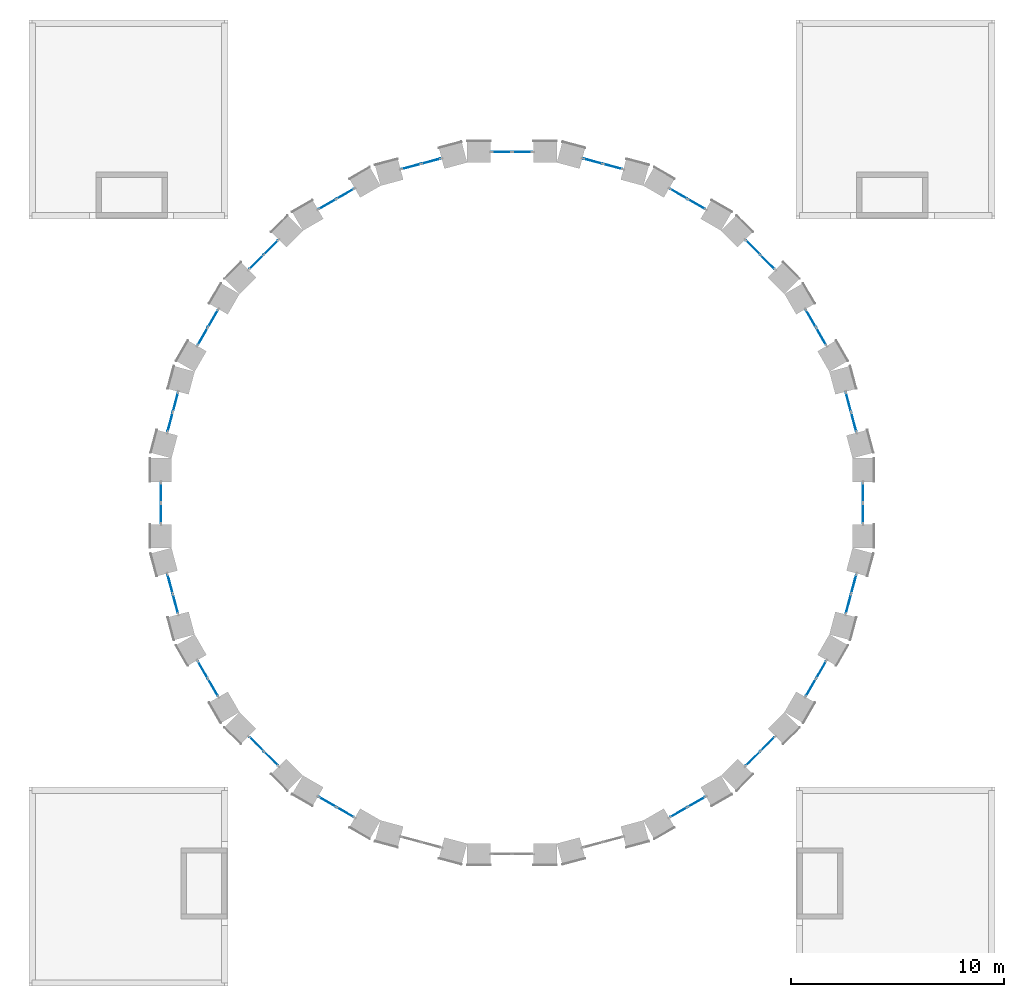
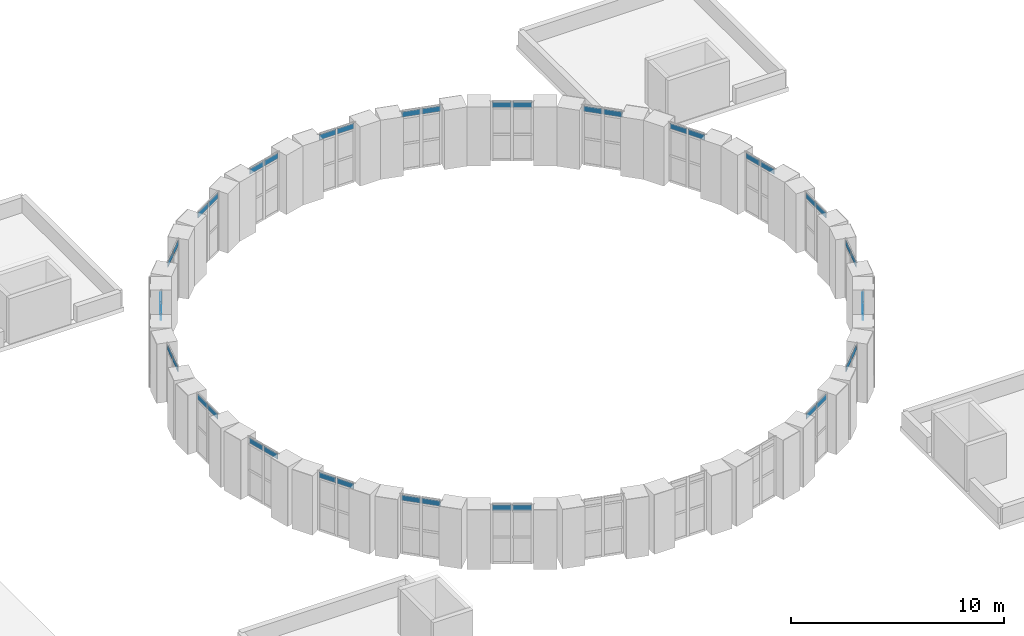
# One storey, part 23 of 42: 42 plates, 21 elements without a shape of their own.
"""IFC4 building model written with IfcOpenShell, lengths in metres."""

import ifcopenshell
import ifcopenshell.guid

model = None  # the IFC model being written
_history = None  # IfcOwnerHistory: only IFC2X3 demands one
_inside = {}  # id of a spatial element -> (the spatial element, [elements in it])
_under = {}  # id of a project, library or spatial element -> (it, [spatial elements below it])
_declared = {}  # id of a project -> (the project, [libraries it declares])
_typed = {}  # id of a type object -> (the type object, [elements of that type])
_made_of = {}  # id of a material, layer set ... -> (it, [elements and type objects made of it])


def new_model(schema):
    """Start an empty IFC model of exactly this schema.

    Asked for "IFC4X3", IfcOpenShell would pick the latest addendum, in which some entities
    have other attributes; the version numbers below select the first issue.
    IFC2X3 requires an IfcOwnerHistory on every rooted entity: one is made here for all.
    """
    global model, _history
    if schema == "IFC4X3":
        model = ifcopenshell.file(schema_version=(4, 3, 0, 0))
    else:
        model = ifcopenshell.file(schema=schema)
    _inside.clear()
    _under.clear()
    _declared.clear()
    _typed.clear()
    _made_of.clear()
    _history = None
    if model.schema == "IFC2X3":
        org = make("IfcOrganization", Name="unknown")
        user = make(
            "IfcPersonAndOrganization",
            ThePerson=make("IfcPerson", FamilyName="unknown"),
            TheOrganization=org,
        )
        app = make(
            "IfcApplication",
            ApplicationDeveloper=org,
            Version="unknown",
            ApplicationFullName="unknown",
            ApplicationIdentifier="unknown",
        )
        _history = make(
            "IfcOwnerHistory",
            OwningUser=user,
            OwningApplication=app,
            ChangeAction="ADDED",
            CreationDate=0,
        )
    return model


def make(cls, **values):
    """One entity of the class cls with the attributes given. An attribute that is None is left unset."""
    return model.create_entity(
        cls, **{name: value for name, value in values.items() if value is not None}
    )


def rooted(cls, **values):
    """An entity with a GlobalId (a new one), such as an element, a storey or a relation."""
    return make(cls, GlobalId=ifcopenshell.guid.new(), OwnerHistory=_history, **values)


def si_unit(unit_type, name, prefix=None):
    """IfcSIUnit, for example si_unit("LENGTHUNIT", "METRE", prefix="MILLI")."""
    return make("IfcSIUnit", UnitType=unit_type, Prefix=prefix, Name=name)


def assignment(units):
    """IfcUnitAssignment: the units of a project."""
    return None if units is None else make("IfcUnitAssignment", Units=units)


def point(xyz):
    """IfcCartesianPoint."""
    return None if xyz is None else make("IfcCartesianPoint", Coordinates=xyz)


def direction(xyz):
    """IfcDirection."""
    return None if xyz is None else make("IfcDirection", DirectionRatios=xyz)


def frame(location, z_axis=None, x_axis=None):
    """IfcAxis2Placement3D, a coordinate frame: its origin and axes. An axis left out is left unset."""
    return make(
        "IfcAxis2Placement3D",
        Location=point(location),
        Axis=direction(z_axis),
        RefDirection=direction(x_axis),
    )


def frame_2d(location, x_axis=None):
    """IfcAxis2Placement2D, a coordinate frame in the plane: its origin and x axis."""
    return make(
        "IfcAxis2Placement2D", Location=point(location), RefDirection=direction(x_axis)
    )


def origin():
    """The frame at (0, 0, 0) with its axes left unset."""
    return frame((0.0, 0.0, 0.0))


def origin_2d():
    """The frame at (0, 0) in the plane with its x axis left unset."""
    return frame_2d((0.0, 0.0))


def place(relative_to, where):
    """IfcLocalPlacement: puts the frame where relative to a parent placement (None: the world)."""
    return make(
        "IfcLocalPlacement", PlacementRelTo=relative_to, RelativePlacement=where
    )


def context(
    kind, dimensions, precision=None, world=None, true_north=None, identifier=None
):
    """IfcGeometricRepresentationContext, for example the 3D "Model" context."""
    return make(
        "IfcGeometricRepresentationContext",
        ContextIdentifier=identifier,
        ContextType=kind,
        CoordinateSpaceDimension=dimensions,
        Precision=precision,
        WorldCoordinateSystem=world,
        TrueNorth=true_north,
    )


def subcontext(parent, identifier, kind, view, scale=None):
    """IfcGeometricRepresentationSubContext, for example "Body" below "Model"."""
    return make(
        "IfcGeometricRepresentationSubContext",
        ContextIdentifier=identifier,
        ContextType=kind,
        ParentContext=parent,
        TargetScale=scale,
        TargetView=view,
    )


def project(units=None, contexts=None):
    """IfcProject with its units and contexts."""
    return rooted(
        "IfcProject",
        Name="project",
        RepresentationContexts=contexts,
        UnitsInContext=assignment(units),
    )


def spatial(cls, under=None, at=None, **own):
    """A site, building, storey or space (cls), placed at a placement, below another one or the project."""
    s = rooted(cls, ObjectPlacement=at, **own)
    if under is not None:
        _under.setdefault(under.id(), (under, []))[1].append(s)
    return s


def profile(cls, at=None, kind="AREA", **sizes):
    """A parametric profile (cls). Its sizes go by their IFC names, for example OverallWidth=200.0."""
    return make(cls, ProfileType=kind, Position=at, **sizes)


def rectangle(**sizes):
    """IfcRectangleProfileDef."""
    return profile("IfcRectangleProfileDef", **sizes)


def extrude(swept, where, along, depth):
    """IfcExtrudedAreaSolid: the profile swept, set in the frame where, extruded along a direction by depth."""
    return make(
        "IfcExtrudedAreaSolid",
        SweptArea=swept,
        Position=where,
        ExtrudedDirection=direction(along),
        Depth=depth,
    )


def shape(context_of_items, identifier, shape_type, items):
    """IfcShapeRepresentation: the items that make up one representation, for example the "Body"."""
    return make(
        "IfcShapeRepresentation",
        ContextOfItems=context_of_items,
        RepresentationIdentifier=identifier,
        RepresentationType=shape_type,
        Items=items,
    )


def material(Name=None, Category=None):
    """IfcMaterial."""
    return make("IfcMaterial", Name=Name, Category=Category)


def layer(
    of_material, thickness, ventilated=None, Name=None, Category=None, Priority=None
):
    """IfcMaterialLayer: one layer of a wall or slab, of a material (None: an air gap)."""
    return make(
        "IfcMaterialLayer",
        Material=of_material,
        LayerThickness=thickness,
        IsVentilated=ventilated,
        Name=Name,
        Category=Category,
        Priority=Priority,
    )


def layer_set(layers, Name=None):
    """IfcMaterialLayerSet."""
    return make("IfcMaterialLayerSet", MaterialLayers=layers, LayerSetName=Name)


def made_of(thing, what):
    """Note that an element or type object is made of a material, layer set ...; save() writes the relation."""
    if what is not None:
        _made_of.setdefault(what.id(), (what, []))[1].append(thing)
    return thing


def type_object(cls, material=None, **own):
    """A type object (cls), such as IfcWallType, which elements share."""
    return made_of(rooted(cls, **own), material)


def element(
    cls,
    number,
    at=None,
    inside=None,
    cuts=None,
    type_object=None,
    material=None,
    context=None,
    identifier="Body",
    shape_type=None,
    held_by="IfcProductDefinitionShape",
    body=None,
    shapes=None,
    **own,
):
    """One element of the class cls, such as IfcWall. Its Tag is "e" and its number.

    at: its placement. inside: the storey or other place that contains it. cuts: it is an
    opening in that element (IfcRelVoidsElement). A single representation is given by context,
    identifier, shape_type and body (its items); several are given by shapes. held_by: the class
    of the entity that holds the representations. save() writes the other relations.
    """
    e = rooted(cls, Tag="e%d" % number, ObjectPlacement=at, **own)
    if body is not None:
        shapes = [shape(context, identifier, shape_type, body)]
    if shapes is not None:
        e.Representation = make(held_by, Representations=shapes)
    if inside is not None:
        _inside.setdefault(inside.id(), (inside, []))[1].append(e)
    if cuts is not None:
        rooted(
            "IfcRelVoidsElement", RelatingBuildingElement=cuts, RelatedOpeningElement=e
        )
    if type_object is not None:
        _typed.setdefault(type_object.id(), (type_object, []))[1].append(e)
    return made_of(e, material)


def aggregate(whole, parts):
    """IfcRelAggregates: a whole, such as a stair, and the parts it consists of."""
    return rooted("IfcRelAggregates", RelatingObject=whole, RelatedObjects=parts)


def save(model, path):
    """Write the relations noted so far, then the file.

    IfcRelAggregates (storeys below a building ...), IfcRelContainedInSpatialStructure (elements
    in a storey), IfcRelDefinesByType, IfcRelAssociatesMaterial and IfcRelDeclares: one each for
    every whole, place, type object, material and project.
    """
    for whole, parts in _under.values():
        aggregate(whole, parts)
    for where, things in _inside.values():
        rooted(
            "IfcRelContainedInSpatialStructure",
            RelatedElements=things,
            RelatingStructure=where,
        )
    for kind, things in _typed.values():
        rooted("IfcRelDefinesByType", RelatedObjects=things, RelatingType=kind)
    for what, things in _made_of.values():
        rooted("IfcRelAssociatesMaterial", RelatedObjects=things, RelatingMaterial=what)
    for by, libraries in _declared.values():
        rooted("IfcRelDeclares", RelatingContext=by, RelatedDefinitions=libraries)
    model.write(path)


model = new_model("IFC4")

# Units and contexts
model_context = context("Model", 3, precision=1e-05, world=origin(), true_north=direction((0.0, 1.0)))
body_context = subcontext(model_context, "Body", "Model", "MODEL_VIEW")
ifc_project = project(units=[si_unit("LENGTHUNIT", "METRE"), si_unit("AREAUNIT", "SQUARE_METRE"), si_unit("VOLUMEUNIT", "CUBIC_METRE"), si_unit("PLANEANGLEUNIT", "RADIAN"), si_unit("MASSUNIT", "GRAM", prefix="KILO")], contexts=[model_context])

# Site, building, storey
site_placement = place(None, origin())
site = spatial("IfcSite", under=ifc_project, at=site_placement, CompositionType="ELEMENT")
building_placement = place(site_placement, origin())
building = spatial("IfcBuilding", under=site, at=building_placement, Name="Golden Quay Civic Hall", CompositionType="ELEMENT")
storey_placement = place(building_placement, frame((0.0, 0.0, 22.800048828125)))
storey = spatial("IfcBuildingStorey", under=building, at=storey_placement, Name="L05", CompositionType="ELEMENT", Elevation=22.800048828125)

# Curtain wall, plates
ifc_material_1 = material(Name="Glass, laminated double glazed", Category="glass")
ifc_layer_1 = layer(ifc_material_1, 0.199951171875)
ifc_layer_set_1 = layer_set([ifc_layer_1], Name="Glazed drum clerestory curtain wall")
curtain_wall_type = type_object("IfcCurtainWallType", Name="Glazed drum clerestory curtain wall", PredefinedType="NOTDEFINED", material=ifc_layer_set_1)
curtain_wall_1_placement = place(storey_placement, origin())
curtain_wall_1 = element("IfcCurtainWall", 1, at=curtain_wall_1_placement, inside=storey, type_object=curtain_wall_type, Name="Clerestory curtain wall 1", PredefinedType="NOTDEFINED")
ifc_material_2 = material(Name="Glass, laminated double glazed", Category="glass")
ifc_layer_2 = layer(ifc_material_2, 0.028076171875)
ifc_layer_set_2 = layer_set([ifc_layer_2], Name="Double glazed curtain wall panel 28")
plate_type = type_object("IfcPlateType", Name="Double glazed curtain wall panel 28", PredefinedType="CURTAIN_PANEL", material=ifc_layer_set_2)
plate_1_placement = place(storey_placement, frame((101.563232421875, 89.302001953125, 3.329833984375), z_axis=(0.0, 0.0, 1.0), x_axis=(-0.258807731996, 0.965928857556, 0.0)))
plate_1 = element("IfcPlate", 2, at=plate_1_placement, type_object=plate_type, Name="CW5 panel 1.3", PredefinedType="CURTAIN_PANEL", context=body_context, shape_type="SweptSolid", body=[
    extrude(rectangle(XDim=0.909912109375, YDim=0.028076171875, at=origin_2d()), origin(), (0.0, 0.0, 1.0), 0.31005859375),
])
plate_2_placement = place(storey_placement, frame((101.312255859375, 90.239013671875, 3.329833984375), z_axis=(0.0, 0.0, 1.0), x_axis=(-0.258807731996, 0.965928857556, 0.0)))
plate_2 = element("IfcPlate", 3, at=plate_2_placement, type_object=plate_type, Name="CW5 panel 2.3", PredefinedType="CURTAIN_PANEL", context=body_context, shape_type="SweptSolid", body=[
    extrude(rectangle(XDim=0.909912109375, YDim=0.028076171875, at=origin_2d()), origin(), (0.0, 0.0, 1.0), 0.31005859375),
])
aggregate(curtain_wall_1, [plate_1, plate_2])

curtain_wall_2_placement = place(storey_placement, origin())
curtain_wall_2 = element("IfcCurtainWall", 4, at=curtain_wall_2_placement, inside=storey, type_object=curtain_wall_type, Name="Clerestory curtain wall 2", PredefinedType="NOTDEFINED")
plate_3_placement = place(storey_placement, frame((100.031982421875, 93.330078125, 3.329833984375), z_axis=(0.0, 0.0, 1.0), x_axis=(-0.500011000366, 0.866019052627, 0.0)))
plate_3 = element("IfcPlate", 5, at=plate_3_placement, type_object=plate_type, Name="CW5 panel 1.3", PredefinedType="CURTAIN_PANEL", context=body_context, shape_type="SweptSolid", body=[
    extrude(rectangle(XDim=0.909912109375, YDim=0.028076171875, at=origin_2d()), origin(), (0.0, 0.0, 1.0), 0.31005859375),
])
plate_4_placement = place(storey_placement, frame((99.546875, 94.169921875, 3.329833984375), z_axis=(0.0, 0.0, 1.0), x_axis=(-0.500011000366, 0.866019052627, 0.0)))
plate_4 = element("IfcPlate", 6, at=plate_4_placement, type_object=plate_type, Name="CW5 panel 2.3", PredefinedType="CURTAIN_PANEL", context=body_context, shape_type="SweptSolid", body=[
    extrude(rectangle(XDim=0.909912109375, YDim=0.028076171875, at=origin_2d()), origin(), (0.0, 0.0, 1.0), 0.31005859375),
])
aggregate(curtain_wall_2, [plate_3, plate_4])

curtain_wall_3_placement = place(storey_placement, origin())
curtain_wall_3 = element("IfcCurtainWall", 7, at=curtain_wall_3_placement, inside=storey, type_object=curtain_wall_type, Name="Clerestory curtain wall 3", PredefinedType="NOTDEFINED")
plate_5_placement = place(storey_placement, frame((97.51025390625, 96.824462890625, 3.329833984375), z_axis=(0.0, 0.0, 1.0), x_axis=(-0.707106781187, 0.707106781187, 0.0)))
plate_5 = element("IfcPlate", 8, at=plate_5_placement, type_object=plate_type, Name="CW5 panel 1.3", PredefinedType="CURTAIN_PANEL", context=body_context, shape_type="SweptSolid", body=[
    extrude(rectangle(XDim=0.909912109375, YDim=0.028076171875, at=origin_2d()), origin(), (0.0, 0.0, 1.0), 0.31005859375),
])
plate_6_placement = place(storey_placement, frame((96.824462890625, 97.51025390625, 3.329833984375), z_axis=(0.0, 0.0, 1.0), x_axis=(-0.707106781187, 0.707106781187, 0.0)))
plate_6 = element("IfcPlate", 9, at=plate_6_placement, type_object=plate_type, Name="CW5 panel 2.3", PredefinedType="CURTAIN_PANEL", context=body_context, shape_type="SweptSolid", body=[
    extrude(rectangle(XDim=0.909912109375, YDim=0.028076171875, at=origin_2d()), origin(), (0.0, 0.0, 1.0), 0.31005859375),
])
aggregate(curtain_wall_3, [plate_5, plate_6])

curtain_wall_4_placement = place(storey_placement, origin())
curtain_wall_4 = element("IfcCurtainWall", 10, at=curtain_wall_4_placement, inside=storey, type_object=curtain_wall_type, Name="Clerestory curtain wall 4", PredefinedType="NOTDEFINED")
plate_7_placement = place(storey_placement, frame((94.169921875, 99.546875, 3.329833984375), z_axis=(0.0, 0.0, 1.0), x_axis=(-0.866019052627, 0.500011000366, 0.0)))
plate_7 = element("IfcPlate", 11, at=plate_7_placement, type_object=plate_type, Name="CW5 panel 1.3", PredefinedType="CURTAIN_PANEL", context=body_context, shape_type="SweptSolid", body=[
    extrude(rectangle(XDim=0.909912109375, YDim=0.028076171875, at=origin_2d()), origin(), (0.0, 0.0, 1.0), 0.31005859375),
])
plate_8_placement = place(storey_placement, frame((93.330078125, 100.031982421875, 3.329833984375), z_axis=(0.0, 0.0, 1.0), x_axis=(-0.866019052627, 0.500011000366, 0.0)))
plate_8 = element("IfcPlate", 12, at=plate_8_placement, type_object=plate_type, Name="CW5 panel 2.3", PredefinedType="CURTAIN_PANEL", context=body_context, shape_type="SweptSolid", body=[
    extrude(rectangle(XDim=0.909912109375, YDim=0.028076171875, at=origin_2d()), origin(), (0.0, 0.0, 1.0), 0.31005859375),
])
aggregate(curtain_wall_4, [plate_7, plate_8])

curtain_wall_5_placement = place(storey_placement, origin())
curtain_wall_5 = element("IfcCurtainWall", 13, at=curtain_wall_5_placement, inside=storey, type_object=curtain_wall_type, Name="Clerestory curtain wall 5", PredefinedType="NOTDEFINED")
plate_9_placement = place(storey_placement, frame((90.239013671875, 101.312255859375, 3.329833984375), z_axis=(0.0, 0.0, 1.0), x_axis=(-0.965928857556, 0.258807731996, 0.0)))
plate_9 = element("IfcPlate", 14, at=plate_9_placement, type_object=plate_type, Name="CW5 panel 1.3", PredefinedType="CURTAIN_PANEL", context=body_context, shape_type="SweptSolid", body=[
    extrude(rectangle(XDim=0.909912109375, YDim=0.028076171875, at=origin_2d()), origin(), (0.0, 0.0, 1.0), 0.31005859375),
])
plate_10_placement = place(storey_placement, frame((89.302001953125, 101.563232421875, 3.329833984375), z_axis=(0.0, 0.0, 1.0), x_axis=(-0.965928857556, 0.258807731996, 0.0)))
plate_10 = element("IfcPlate", 15, at=plate_10_placement, type_object=plate_type, Name="CW5 panel 2.3", PredefinedType="CURTAIN_PANEL", context=body_context, shape_type="SweptSolid", body=[
    extrude(rectangle(XDim=0.909912109375, YDim=0.028076171875, at=origin_2d()), origin(), (0.0, 0.0, 1.0), 0.31005859375),
])
aggregate(curtain_wall_5, [plate_9, plate_10])

curtain_wall_6_placement = place(storey_placement, origin())
curtain_wall_6 = element("IfcCurtainWall", 16, at=curtain_wall_6_placement, inside=storey, type_object=curtain_wall_type, Name="Clerestory curtain wall 6", PredefinedType="NOTDEFINED")
plate_11_placement = place(storey_placement, frame((85.985107421875, 102.0, 3.329833984375), z_axis=(0.0, 0.0, 1.0), x_axis=(-1.0, 0.0, 0.0)))
plate_11 = element("IfcPlate", 17, at=plate_11_placement, type_object=plate_type, Name="CW5 panel 1.3", PredefinedType="CURTAIN_PANEL", context=body_context, shape_type="SweptSolid", body=[
    extrude(rectangle(XDim=0.909912109375, YDim=0.028076171875, at=origin_2d()), origin(), (0.0, 0.0, 1.0), 0.31005859375),
])
plate_12_placement = place(storey_placement, frame((85.014892578125, 102.0, 3.329833984375), z_axis=(0.0, 0.0, 1.0), x_axis=(-1.0, 0.0, 0.0)))
plate_12 = element("IfcPlate", 18, at=plate_12_placement, type_object=plate_type, Name="CW5 panel 2.3", PredefinedType="CURTAIN_PANEL", context=body_context, shape_type="SweptSolid", body=[
    extrude(rectangle(XDim=0.909912109375, YDim=0.028076171875, at=origin_2d()), origin(), (0.0, 0.0, 1.0), 0.31005859375),
])
aggregate(curtain_wall_6, [plate_11, plate_12])

curtain_wall_7_placement = place(storey_placement, origin())
curtain_wall_7 = element("IfcCurtainWall", 19, at=curtain_wall_7_placement, inside=storey, type_object=curtain_wall_type, Name="Clerestory curtain wall 7", PredefinedType="NOTDEFINED")
plate_13_placement = place(storey_placement, frame((81.697998046875, 101.563232421875, 3.329833984375), z_axis=(0.0, 0.0, 1.0), x_axis=(-0.965928857556, -0.258807731996, 0.0)))
plate_13 = element("IfcPlate", 20, at=plate_13_placement, type_object=plate_type, Name="CW5 panel 1.3", PredefinedType="CURTAIN_PANEL", context=body_context, shape_type="SweptSolid", body=[
    extrude(rectangle(XDim=0.909912109375, YDim=0.028076171875, at=origin_2d()), origin(), (0.0, 0.0, 1.0), 0.31005859375),
])
plate_14_placement = place(storey_placement, frame((80.760986328125, 101.312255859375, 3.329833984375), z_axis=(0.0, 0.0, 1.0), x_axis=(-0.965928857556, -0.258807731996, 0.0)))
plate_14 = element("IfcPlate", 21, at=plate_14_placement, type_object=plate_type, Name="CW5 panel 2.3", PredefinedType="CURTAIN_PANEL", context=body_context, shape_type="SweptSolid", body=[
    extrude(rectangle(XDim=0.909912109375, YDim=0.028076171875, at=origin_2d()), origin(), (0.0, 0.0, 1.0), 0.31005859375),
])
aggregate(curtain_wall_7, [plate_13, plate_14])

curtain_wall_8_placement = place(storey_placement, origin())
curtain_wall_8 = element("IfcCurtainWall", 22, at=curtain_wall_8_placement, inside=storey, type_object=curtain_wall_type, Name="Clerestory curtain wall 8", PredefinedType="NOTDEFINED")
plate_15_placement = place(storey_placement, frame((77.669921875, 100.031982421875, 3.329833984375), z_axis=(0.0, 0.0, 1.0), x_axis=(-0.866019052627, -0.500011000366, 0.0)))
plate_15 = element("IfcPlate", 23, at=plate_15_placement, type_object=plate_type, Name="CW5 panel 1.3", PredefinedType="CURTAIN_PANEL", context=body_context, shape_type="SweptSolid", body=[
    extrude(rectangle(XDim=0.909912109375, YDim=0.028076171875, at=origin_2d()), origin(), (0.0, 0.0, 1.0), 0.31005859375),
])
plate_16_placement = place(storey_placement, frame((76.830078125, 99.546875, 3.329833984375), z_axis=(0.0, 0.0, 1.0), x_axis=(-0.866019052627, -0.500011000366, 0.0)))
plate_16 = element("IfcPlate", 24, at=plate_16_placement, type_object=plate_type, Name="CW5 panel 2.3", PredefinedType="CURTAIN_PANEL", context=body_context, shape_type="SweptSolid", body=[
    extrude(rectangle(XDim=0.909912109375, YDim=0.028076171875, at=origin_2d()), origin(), (0.0, 0.0, 1.0), 0.31005859375),
])
aggregate(curtain_wall_8, [plate_15, plate_16])

curtain_wall_9_placement = place(storey_placement, origin())
curtain_wall_9 = element("IfcCurtainWall", 25, at=curtain_wall_9_placement, inside=storey, type_object=curtain_wall_type, Name="Clerestory curtain wall 9", PredefinedType="NOTDEFINED")
plate_17_placement = place(storey_placement, frame((74.175537109375, 97.51025390625, 3.329833984375), z_axis=(0.0, 0.0, 1.0), x_axis=(-0.707106781187, -0.707106781187, 0.0)))
plate_17 = element("IfcPlate", 26, at=plate_17_placement, type_object=plate_type, Name="CW5 panel 1.3", PredefinedType="CURTAIN_PANEL", context=body_context, shape_type="SweptSolid", body=[
    extrude(rectangle(XDim=0.909912109375, YDim=0.028076171875, at=origin_2d()), origin(), (0.0, 0.0, 1.0), 0.31005859375),
])
plate_18_placement = place(storey_placement, frame((73.48974609375, 96.824462890625, 3.329833984375), z_axis=(0.0, 0.0, 1.0), x_axis=(-0.707106781187, -0.707106781187, 0.0)))
plate_18 = element("IfcPlate", 27, at=plate_18_placement, type_object=plate_type, Name="CW5 panel 2.3", PredefinedType="CURTAIN_PANEL", context=body_context, shape_type="SweptSolid", body=[
    extrude(rectangle(XDim=0.909912109375, YDim=0.028076171875, at=origin_2d()), origin(), (0.0, 0.0, 1.0), 0.31005859375),
])
aggregate(curtain_wall_9, [plate_17, plate_18])

curtain_wall_10_placement = place(storey_placement, origin())
curtain_wall_10 = element("IfcCurtainWall", 28, at=curtain_wall_10_placement, inside=storey, type_object=curtain_wall_type, Name="Clerestory curtain wall 10", PredefinedType="NOTDEFINED")
plate_19_placement = place(storey_placement, frame((71.453125, 94.169921875, 3.329833984375), z_axis=(0.0, 0.0, 1.0), x_axis=(-0.500011000366, -0.866019052627, 0.0)))
plate_19 = element("IfcPlate", 29, at=plate_19_placement, type_object=plate_type, Name="CW5 panel 1.3", PredefinedType="CURTAIN_PANEL", context=body_context, shape_type="SweptSolid", body=[
    extrude(rectangle(XDim=0.909912109375, YDim=0.028076171875, at=origin_2d()), origin(), (0.0, 0.0, 1.0), 0.31005859375),
])
plate_20_placement = place(storey_placement, frame((70.968017578125, 93.330078125, 3.329833984375), z_axis=(0.0, 0.0, 1.0), x_axis=(-0.500011000366, -0.866019052627, 0.0)))
plate_20 = element("IfcPlate", 30, at=plate_20_placement, type_object=plate_type, Name="CW5 panel 2.3", PredefinedType="CURTAIN_PANEL", context=body_context, shape_type="SweptSolid", body=[
    extrude(rectangle(XDim=0.909912109375, YDim=0.028076171875, at=origin_2d()), origin(), (0.0, 0.0, 1.0), 0.31005859375),
])
aggregate(curtain_wall_10, [plate_19, plate_20])

curtain_wall_11_placement = place(storey_placement, origin())
curtain_wall_11 = element("IfcCurtainWall", 31, at=curtain_wall_11_placement, inside=storey, type_object=curtain_wall_type, Name="Clerestory curtain wall 11", PredefinedType="NOTDEFINED")
plate_21_placement = place(storey_placement, frame((69.687744140625, 90.239013671875, 3.329833984375), z_axis=(0.0, 0.0, 1.0), x_axis=(-0.258807731996, -0.965928857556, 0.0)))
plate_21 = element("IfcPlate", 32, at=plate_21_placement, type_object=plate_type, Name="CW5 panel 1.3", PredefinedType="CURTAIN_PANEL", context=body_context, shape_type="SweptSolid", body=[
    extrude(rectangle(XDim=0.909912109375, YDim=0.028076171875, at=origin_2d()), origin(), (0.0, 0.0, 1.0), 0.31005859375),
])
plate_22_placement = place(storey_placement, frame((69.436767578125, 89.302001953125, 3.329833984375), z_axis=(0.0, 0.0, 1.0), x_axis=(-0.258807731996, -0.965928857556, 0.0)))
plate_22 = element("IfcPlate", 33, at=plate_22_placement, type_object=plate_type, Name="CW5 panel 2.3", PredefinedType="CURTAIN_PANEL", context=body_context, shape_type="SweptSolid", body=[
    extrude(rectangle(XDim=0.909912109375, YDim=0.028076171875, at=origin_2d()), origin(), (0.0, 0.0, 1.0), 0.31005859375),
])
aggregate(curtain_wall_11, [plate_21, plate_22])

curtain_wall_12_placement = place(storey_placement, origin())
curtain_wall_12 = element("IfcCurtainWall", 34, at=curtain_wall_12_placement, inside=storey, type_object=curtain_wall_type, Name="Clerestory curtain wall 12", PredefinedType="NOTDEFINED")
plate_23_placement = place(storey_placement, frame((69.0, 85.985107421875, 3.329833984375), z_axis=(0.0, 0.0, 1.0), x_axis=(0.0, -1.0, 0.0)))
plate_23 = element("IfcPlate", 35, at=plate_23_placement, type_object=plate_type, Name="CW5 panel 1.3", PredefinedType="CURTAIN_PANEL", context=body_context, shape_type="SweptSolid", body=[
    extrude(rectangle(XDim=0.909912109375, YDim=0.028076171875, at=origin_2d()), origin(), (0.0, 0.0, 1.0), 0.31005859375),
])
plate_24_placement = place(storey_placement, frame((69.0, 85.014892578125, 3.329833984375), z_axis=(0.0, 0.0, 1.0), x_axis=(0.0, -1.0, 0.0)))
plate_24 = element("IfcPlate", 36, at=plate_24_placement, type_object=plate_type, Name="CW5 panel 2.3", PredefinedType="CURTAIN_PANEL", context=body_context, shape_type="SweptSolid", body=[
    extrude(rectangle(XDim=0.909912109375, YDim=0.028076171875, at=origin_2d()), origin(), (0.0, 0.0, 1.0), 0.31005859375),
])
aggregate(curtain_wall_12, [plate_23, plate_24])

curtain_wall_13_placement = place(storey_placement, origin())
curtain_wall_13 = element("IfcCurtainWall", 37, at=curtain_wall_13_placement, inside=storey, type_object=curtain_wall_type, Name="Clerestory curtain wall 13", PredefinedType="NOTDEFINED")
plate_25_placement = place(storey_placement, frame((69.436767578125, 81.697998046875, 3.329833984375), z_axis=(0.0, 0.0, 1.0), x_axis=(0.258807731996, -0.965928857556, 0.0)))
plate_25 = element("IfcPlate", 38, at=plate_25_placement, type_object=plate_type, Name="CW5 panel 1.3", PredefinedType="CURTAIN_PANEL", context=body_context, shape_type="SweptSolid", body=[
    extrude(rectangle(XDim=0.909912109375, YDim=0.028076171875, at=origin_2d()), origin(), (0.0, 0.0, 1.0), 0.31005859375),
])
plate_26_placement = place(storey_placement, frame((69.687744140625, 80.760986328125, 3.329833984375), z_axis=(0.0, 0.0, 1.0), x_axis=(0.258807731996, -0.965928857556, 0.0)))
plate_26 = element("IfcPlate", 39, at=plate_26_placement, type_object=plate_type, Name="CW5 panel 2.3", PredefinedType="CURTAIN_PANEL", context=body_context, shape_type="SweptSolid", body=[
    extrude(rectangle(XDim=0.909912109375, YDim=0.028076171875, at=origin_2d()), origin(), (0.0, 0.0, 1.0), 0.31005859375),
])
aggregate(curtain_wall_13, [plate_25, plate_26])

curtain_wall_14_placement = place(storey_placement, origin())
curtain_wall_14 = element("IfcCurtainWall", 40, at=curtain_wall_14_placement, inside=storey, type_object=curtain_wall_type, Name="Clerestory curtain wall 14", PredefinedType="NOTDEFINED")
plate_27_placement = place(storey_placement, frame((70.968017578125, 77.669921875, 3.329833984375), z_axis=(0.0, 0.0, 1.0), x_axis=(0.500011000366, -0.866019052627, 0.0)))
plate_27 = element("IfcPlate", 41, at=plate_27_placement, type_object=plate_type, Name="CW5 panel 1.3", PredefinedType="CURTAIN_PANEL", context=body_context, shape_type="SweptSolid", body=[
    extrude(rectangle(XDim=0.909912109375, YDim=0.028076171875, at=origin_2d()), origin(), (0.0, 0.0, 1.0), 0.31005859375),
])
plate_28_placement = place(storey_placement, frame((71.453125, 76.830078125, 3.329833984375), z_axis=(0.0, 0.0, 1.0), x_axis=(0.500011000366, -0.866019052627, 0.0)))
plate_28 = element("IfcPlate", 42, at=plate_28_placement, type_object=plate_type, Name="CW5 panel 2.3", PredefinedType="CURTAIN_PANEL", context=body_context, shape_type="SweptSolid", body=[
    extrude(rectangle(XDim=0.909912109375, YDim=0.028076171875, at=origin_2d()), origin(), (0.0, 0.0, 1.0), 0.31005859375),
])
aggregate(curtain_wall_14, [plate_27, plate_28])

curtain_wall_15_placement = place(storey_placement, origin())
curtain_wall_15 = element("IfcCurtainWall", 43, at=curtain_wall_15_placement, inside=storey, type_object=curtain_wall_type, Name="Clerestory curtain wall 15", PredefinedType="NOTDEFINED")
plate_29_placement = place(storey_placement, frame((73.48974609375, 74.175537109375, 3.329833984375), z_axis=(0.0, 0.0, 1.0), x_axis=(0.707106781187, -0.707106781187, 0.0)))
plate_29 = element("IfcPlate", 44, at=plate_29_placement, type_object=plate_type, Name="CW5 panel 1.3", PredefinedType="CURTAIN_PANEL", context=body_context, shape_type="SweptSolid", body=[
    extrude(rectangle(XDim=0.909912109375, YDim=0.028076171875, at=origin_2d()), origin(), (0.0, 0.0, 1.0), 0.31005859375),
])
plate_30_placement = place(storey_placement, frame((74.175537109375, 73.48974609375, 3.329833984375), z_axis=(0.0, 0.0, 1.0), x_axis=(0.707106781187, -0.707106781187, 0.0)))
plate_30 = element("IfcPlate", 45, at=plate_30_placement, type_object=plate_type, Name="CW5 panel 2.3", PredefinedType="CURTAIN_PANEL", context=body_context, shape_type="SweptSolid", body=[
    extrude(rectangle(XDim=0.909912109375, YDim=0.028076171875, at=origin_2d()), origin(), (0.0, 0.0, 1.0), 0.31005859375),
])
aggregate(curtain_wall_15, [plate_29, plate_30])

curtain_wall_16_placement = place(storey_placement, origin())
curtain_wall_16 = element("IfcCurtainWall", 46, at=curtain_wall_16_placement, inside=storey, type_object=curtain_wall_type, Name="Clerestory curtain wall 16", PredefinedType="NOTDEFINED")
plate_31_placement = place(storey_placement, frame((76.830078125, 71.453125, 3.329833984375), z_axis=(0.0, 0.0, 1.0), x_axis=(0.866019052627, -0.500011000366, 0.0)))
plate_31 = element("IfcPlate", 47, at=plate_31_placement, type_object=plate_type, Name="CW5 panel 1.3", PredefinedType="CURTAIN_PANEL", context=body_context, shape_type="SweptSolid", body=[
    extrude(rectangle(XDim=0.909912109375, YDim=0.028076171875, at=origin_2d()), origin(), (0.0, 0.0, 1.0), 0.31005859375),
])
plate_32_placement = place(storey_placement, frame((77.669921875, 70.968017578125, 3.329833984375), z_axis=(0.0, 0.0, 1.0), x_axis=(0.866019052627, -0.500011000366, 0.0)))
plate_32 = element("IfcPlate", 48, at=plate_32_placement, type_object=plate_type, Name="CW5 panel 2.3", PredefinedType="CURTAIN_PANEL", context=body_context, shape_type="SweptSolid", body=[
    extrude(rectangle(XDim=0.909912109375, YDim=0.028076171875, at=origin_2d()), origin(), (0.0, 0.0, 1.0), 0.31005859375),
])
aggregate(curtain_wall_16, [plate_31, plate_32])

curtain_wall_17_placement = place(storey_placement, origin())
curtain_wall_17 = element("IfcCurtainWall", 49, at=curtain_wall_17_placement, inside=storey, type_object=curtain_wall_type, Name="Clerestory curtain wall 20", PredefinedType="NOTDEFINED")
plate_33_placement = place(storey_placement, frame((93.330078125, 70.968017578125, 3.329833984375), z_axis=(0.0, 0.0, 1.0), x_axis=(0.866019052627, 0.500011000366, 0.0)))
plate_33 = element("IfcPlate", 50, at=plate_33_placement, type_object=plate_type, Name="CW5 panel 1.3", PredefinedType="CURTAIN_PANEL", context=body_context, shape_type="SweptSolid", body=[
    extrude(rectangle(XDim=0.909912109375, YDim=0.028076171875, at=origin_2d()), origin(), (0.0, 0.0, 1.0), 0.31005859375),
])
plate_34_placement = place(storey_placement, frame((94.169921875, 71.453125, 3.329833984375), z_axis=(0.0, 0.0, 1.0), x_axis=(0.866019052627, 0.500011000366, 0.0)))
plate_34 = element("IfcPlate", 51, at=plate_34_placement, type_object=plate_type, Name="CW5 panel 2.3", PredefinedType="CURTAIN_PANEL", context=body_context, shape_type="SweptSolid", body=[
    extrude(rectangle(XDim=0.909912109375, YDim=0.028076171875, at=origin_2d()), origin(), (0.0, 0.0, 1.0), 0.31005859375),
])
aggregate(curtain_wall_17, [plate_33, plate_34])

curtain_wall_18_placement = place(storey_placement, origin())
curtain_wall_18 = element("IfcCurtainWall", 52, at=curtain_wall_18_placement, inside=storey, type_object=curtain_wall_type, Name="Clerestory curtain wall 21", PredefinedType="NOTDEFINED")
plate_35_placement = place(storey_placement, frame((96.824462890625, 73.48974609375, 3.329833984375), z_axis=(0.0, 0.0, 1.0), x_axis=(0.707106781187, 0.707106781187, 0.0)))
plate_35 = element("IfcPlate", 53, at=plate_35_placement, type_object=plate_type, Name="CW5 panel 1.3", PredefinedType="CURTAIN_PANEL", context=body_context, shape_type="SweptSolid", body=[
    extrude(rectangle(XDim=0.909912109375, YDim=0.028076171875, at=origin_2d()), origin(), (0.0, 0.0, 1.0), 0.31005859375),
])
plate_36_placement = place(storey_placement, frame((97.51025390625, 74.175537109375, 3.329833984375), z_axis=(0.0, 0.0, 1.0), x_axis=(0.707106781187, 0.707106781187, 0.0)))
plate_36 = element("IfcPlate", 54, at=plate_36_placement, type_object=plate_type, Name="CW5 panel 2.3", PredefinedType="CURTAIN_PANEL", context=body_context, shape_type="SweptSolid", body=[
    extrude(rectangle(XDim=0.909912109375, YDim=0.028076171875, at=origin_2d()), origin(), (0.0, 0.0, 1.0), 0.31005859375),
])
aggregate(curtain_wall_18, [plate_35, plate_36])

curtain_wall_19_placement = place(storey_placement, origin())
curtain_wall_19 = element("IfcCurtainWall", 55, at=curtain_wall_19_placement, inside=storey, type_object=curtain_wall_type, Name="Clerestory curtain wall 22", PredefinedType="NOTDEFINED")
plate_37_placement = place(storey_placement, frame((99.546875, 76.830078125, 3.329833984375), z_axis=(0.0, 0.0, 1.0), x_axis=(0.500011000366, 0.866019052627, 0.0)))
plate_37 = element("IfcPlate", 56, at=plate_37_placement, type_object=plate_type, Name="CW5 panel 1.3", PredefinedType="CURTAIN_PANEL", context=body_context, shape_type="SweptSolid", body=[
    extrude(rectangle(XDim=0.909912109375, YDim=0.028076171875, at=origin_2d()), origin(), (0.0, 0.0, 1.0), 0.31005859375),
])
plate_38_placement = place(storey_placement, frame((100.031982421875, 77.669921875, 3.329833984375), z_axis=(0.0, 0.0, 1.0), x_axis=(0.500011000366, 0.866019052627, 0.0)))
plate_38 = element("IfcPlate", 57, at=plate_38_placement, type_object=plate_type, Name="CW5 panel 2.3", PredefinedType="CURTAIN_PANEL", context=body_context, shape_type="SweptSolid", body=[
    extrude(rectangle(XDim=0.909912109375, YDim=0.028076171875, at=origin_2d()), origin(), (0.0, 0.0, 1.0), 0.31005859375),
])
aggregate(curtain_wall_19, [plate_37, plate_38])

curtain_wall_20_placement = place(storey_placement, origin())
curtain_wall_20 = element("IfcCurtainWall", 58, at=curtain_wall_20_placement, inside=storey, type_object=curtain_wall_type, Name="Clerestory curtain wall 23", PredefinedType="NOTDEFINED")
plate_39_placement = place(storey_placement, frame((101.312255859375, 80.760986328125, 3.329833984375), z_axis=(0.0, 0.0, 1.0), x_axis=(0.258807731996, 0.965928857556, 0.0)))
plate_39 = element("IfcPlate", 59, at=plate_39_placement, type_object=plate_type, Name="CW5 panel 1.3", PredefinedType="CURTAIN_PANEL", context=body_context, shape_type="SweptSolid", body=[
    extrude(rectangle(XDim=0.909912109375, YDim=0.028076171875, at=origin_2d()), origin(), (0.0, 0.0, 1.0), 0.31005859375),
])
plate_40_placement = place(storey_placement, frame((101.563232421875, 81.697998046875, 3.329833984375), z_axis=(0.0, 0.0, 1.0), x_axis=(0.258807731996, 0.965928857556, 0.0)))
plate_40 = element("IfcPlate", 60, at=plate_40_placement, type_object=plate_type, Name="CW5 panel 2.3", PredefinedType="CURTAIN_PANEL", context=body_context, shape_type="SweptSolid", body=[
    extrude(rectangle(XDim=0.909912109375, YDim=0.028076171875, at=origin_2d()), origin(), (0.0, 0.0, 1.0), 0.31005859375),
])
aggregate(curtain_wall_20, [plate_39, plate_40])

curtain_wall_21_placement = place(storey_placement, origin())
curtain_wall_21 = element("IfcCurtainWall", 61, at=curtain_wall_21_placement, inside=storey, type_object=curtain_wall_type, Name="Clerestory curtain wall 24", PredefinedType="NOTDEFINED")
plate_41_placement = place(storey_placement, frame((102.0, 85.014892578125, 3.329833984375), z_axis=(0.0, 0.0, 1.0), x_axis=(0.0, 1.0, 0.0)))
plate_41 = element("IfcPlate", 62, at=plate_41_placement, type_object=plate_type, Name="CW5 panel 1.3", PredefinedType="CURTAIN_PANEL", context=body_context, shape_type="SweptSolid", body=[
    extrude(rectangle(XDim=0.909912109375, YDim=0.028076171875, at=origin_2d()), origin(), (0.0, 0.0, 1.0), 0.31005859375),
])
plate_42_placement = place(storey_placement, frame((102.0, 85.985107421875, 3.329833984375), z_axis=(0.0, 0.0, 1.0), x_axis=(0.0, 1.0, 0.0)))
plate_42 = element("IfcPlate", 63, at=plate_42_placement, type_object=plate_type, Name="CW5 panel 2.3", PredefinedType="CURTAIN_PANEL", context=body_context, shape_type="SweptSolid", body=[
    extrude(rectangle(XDim=0.909912109375, YDim=0.028076171875, at=origin_2d()), origin(), (0.0, 0.0, 1.0), 0.31005859375),
])
aggregate(curtain_wall_21, [plate_41, plate_42])

save(model, "model.ifc")
